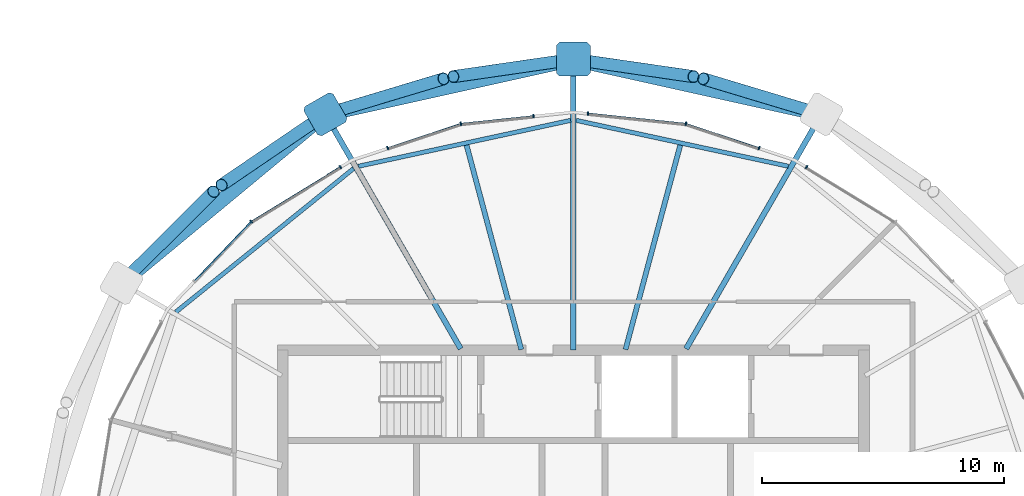
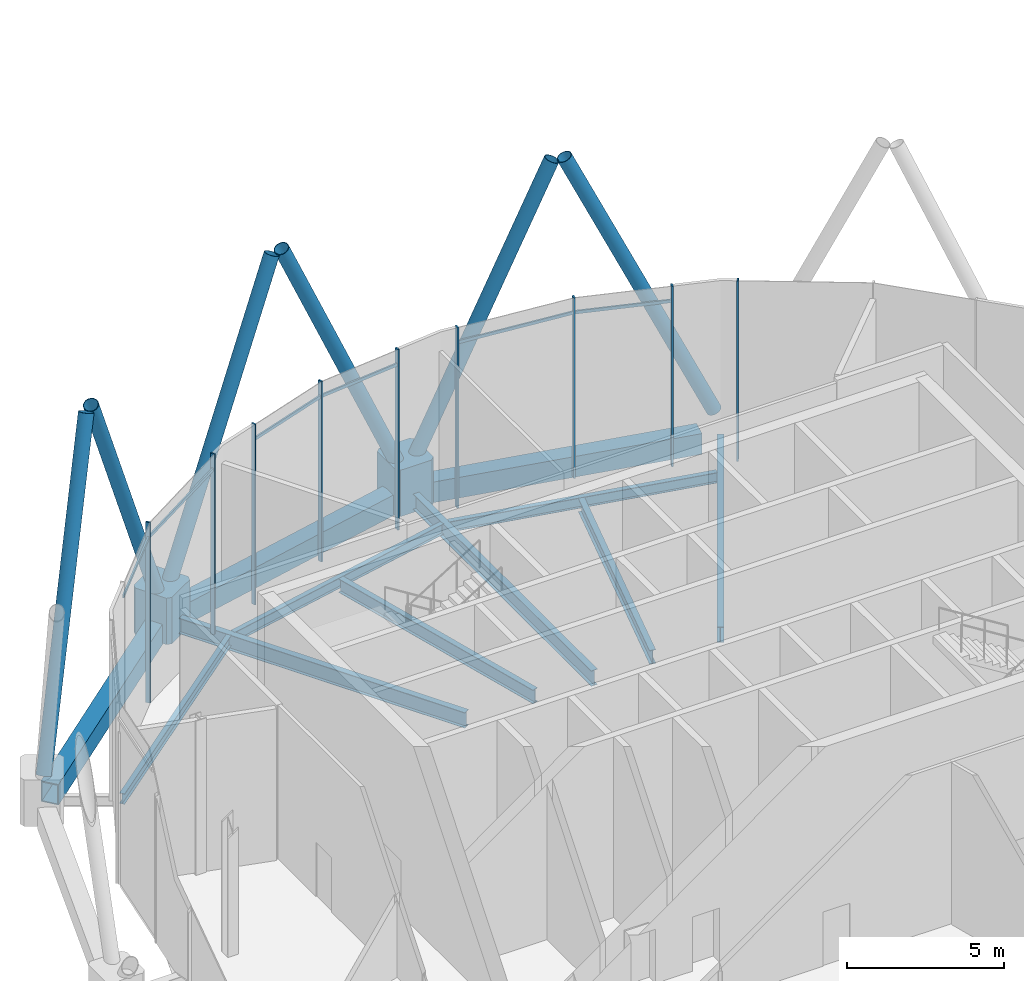
# One storey, part 7 of 28: 23 members, 11 beams, 1 element without a shape of its own.
"""IFC4 building model written with IfcOpenShell, lengths in metres."""

from ifc_helpers import new_model, si_unit, direction, frame, origin, origin_2d, place, context, subcontext, project, spatial, polyline, rectangle, hollow_rectangle, hollow_circle, i_section, outline, extrude, material, material_profile, profile_set, type_object, element, aggregate, save


model = new_model("IFC4")

# Units and contexts
model_context = context("Model", 3, precision=1e-05, world=origin(), true_north=direction((0.0, 1.0)))
body_context = subcontext(model_context, "Body", "Model", "MODEL_VIEW")
ifc_project = project(units=[si_unit("LENGTHUNIT", "METRE"), si_unit("AREAUNIT", "SQUARE_METRE"), si_unit("VOLUMEUNIT", "CUBIC_METRE"), si_unit("PLANEANGLEUNIT", "RADIAN"), si_unit("MASSUNIT", "GRAM", prefix="KILO")], contexts=[model_context])

# Site, building, storey
site_placement = place(None, origin())
site = spatial("IfcSite", under=ifc_project, at=site_placement, CompositionType="ELEMENT")
building_placement = place(site_placement, origin())
building = spatial("IfcBuilding", under=site, at=building_placement, Name="Rimbun Link Towers", CompositionType="ELEMENT")
storey_placement = place(building_placement, frame((0.0, 0.0, 256.10009765625)))
storey = spatial("IfcBuildingStorey", under=building, at=storey_placement, Name="L63", CompositionType="ELEMENT", Elevation=256.10009765625)

# Curtain wall, members
ifc_material_1 = material(Name="Aluminium 6063-T6 and low-iron glass", Category="aluminium")
curtain_wall_type = type_object("IfcCurtainWallType", Name="CW5 full height lobby wall", PredefinedType="NOTDEFINED", material=ifc_material_1)
curtain_wall_placement = place(storey_placement, origin())
curtain_wall = element("IfcCurtainWall", 1, at=curtain_wall_placement, inside=storey, type_object=curtain_wall_type, Name="CW5 L63 T1", PredefinedType="NOTDEFINED")
ifc_material_2 = material(Name="Aluminium 6063-T6", Category="aluminium")
ifc_material_profile_1 = material_profile(ifc_material_2, rectangle(XDim=0.14990234375, YDim=0.06005859375, at=origin_2d()), Name="MULLION 60X150")
ifc_profile_set_1 = profile_set([ifc_material_profile_1], Name="Aluminium 6063-T6")
member_type_1 = type_object("IfcMemberType", Name="CW5 mullion 60X150", PredefinedType="MULLION", material=ifc_profile_set_1)
member_1_placement = place(storey_placement, frame((-22.125732421875, 15.56591796875, 0.0), z_axis=(0.0, 0.0, 1.0), x_axis=(0.523246228321, 0.85218154436, 0.0)))
member_1 = element("IfcMember", 2, at=member_1_placement, type_object=member_type_1, Name="CW5 mullion", PredefinedType="MULLION", context=body_context, shape_type="SweptSolid", body=[
    extrude(rectangle(XDim=0.14990234375, YDim=0.06005859375, at=origin_2d()), origin(), (0.0, 0.0, 1.0), 7.0),
])
member_2_placement = place(storey_placement, frame((-27.10498046875, 17.35009765625, 0.0), z_axis=(0.0, 0.0, 1.0), x_axis=(0.210861265899, 0.977515998101, 0.0)))
member_2 = element("IfcMember", 3, at=member_2_placement, type_object=member_type_1, Name="CW5 mullion", PredefinedType="MULLION", context=body_context, shape_type="SweptSolid", body=[
    extrude(rectangle(XDim=0.14990234375, YDim=0.06005859375, at=origin_2d()), origin(), (0.0, 0.0, 1.0), 7.0),
])
member_3_placement = place(storey_placement, frame((-24.08154296875, 16.3486328125, 0.0), z_axis=(0.0, 0.0, 1.0), x_axis=(0.314558123546, 0.949238213997, 0.0)))
member_3 = element("IfcMember", 4, at=member_3_placement, type_object=member_type_1, Name="CW5 mullion", PredefinedType="MULLION", context=body_context, shape_type="SweptSolid", body=[
    extrude(rectangle(XDim=0.14990234375, YDim=0.06005859375, at=origin_2d()), origin(), (0.0, 0.0, 1.0), 7.0),
])
member_4_placement = place(storey_placement, frame((-31.1455078125, 17.776123046875, 0.0), z_axis=(0.0, 0.0, 1.0), x_axis=(0.104728397345, 0.994500861131, 0.0)))
member_4 = element("IfcMember", 5, at=member_4_placement, type_object=member_type_1, Name="CW5 mullion", PredefinedType="MULLION", context=body_context, shape_type="SweptSolid", body=[
    extrude(rectangle(XDim=0.14990234375, YDim=0.06005859375, at=origin_2d()), origin(), (0.0, 0.0, 1.0), 7.0),
])
member_5_placement = place(storey_placement, frame((-36.39501953125, 17.35009765625, 0.0), z_axis=(0.0, 0.0, 1.0), x_axis=(-0.210861265899, 0.977515998101, 0.0)))
member_5 = element("IfcMember", 6, at=member_5_placement, type_object=member_type_1, Name="CW5 mullion", PredefinedType="MULLION", context=body_context, shape_type="SweptSolid", body=[
    extrude(rectangle(XDim=0.14990234375, YDim=0.06005859375, at=origin_2d()), origin(), (0.0, 0.0, 1.0), 7.0),
])
member_6_placement = place(storey_placement, frame((-33.398681640625, 17.666015625, 0.0), z_axis=(0.0, 0.0, 1.0), x_axis=(-0.104728397345, 0.994500861131, 0.0)))
member_6 = element("IfcMember", 7, at=member_6_placement, type_object=member_type_1, Name="CW5 mullion", PredefinedType="MULLION", context=body_context, shape_type="SweptSolid", body=[
    extrude(rectangle(XDim=0.14990234375, YDim=0.06005859375, at=origin_2d()), origin(), (0.0, 0.0, 1.0), 7.0),
])
member_7_placement = place(storey_placement, frame((-39.41845703125, 16.3486328125, 0.0), z_axis=(0.0, 0.0, 1.0), x_axis=(-0.314558123546, 0.949238213997, 0.0)))
member_7 = element("IfcMember", 8, at=member_7_placement, type_object=member_type_1, Name="CW5 mullion", PredefinedType="MULLION", context=body_context, shape_type="SweptSolid", body=[
    extrude(rectangle(XDim=0.14990234375, YDim=0.06005859375, at=origin_2d()), origin(), (0.0, 0.0, 1.0), 7.0),
])
member_8_placement = place(storey_placement, frame((-45.048095703125, 13.3095703125, 0.0), z_axis=(0.0, 0.0, 1.0), x_axis=(-0.627673907334, 0.778476374755, 0.0)))
member_8 = element("IfcMember", 9, at=member_8_placement, type_object=member_type_1, Name="CW5 mullion", PredefinedType="MULLION", context=body_context, shape_type="SweptSolid", body=[
    extrude(rectangle(XDim=0.14990234375, YDim=0.06005859375, at=origin_2d()), origin(), (0.0, 0.0, 1.0), 7.0),
])
member_9_placement = place(storey_placement, frame((-41.374267578125, 15.56591796875, 0.0), z_axis=(0.0, 0.0, 1.0), x_axis=(-0.523246228321, 0.85218154436, 0.0)))
member_9 = element("IfcMember", 10, at=member_9_placement, type_object=member_type_1, Name="CW5 mullion", PredefinedType="MULLION", context=body_context, shape_type="SweptSolid", body=[
    extrude(rectangle(XDim=0.14990234375, YDim=0.06005859375, at=origin_2d()), origin(), (0.0, 0.0, 1.0), 7.0),
])
ifc_material_3 = material(Name="Aluminium 6063-T6", Category="aluminium")
ifc_material_profile_2 = material_profile(ifc_material_3, rectangle(XDim=0.06005859375, YDim=0.1201171875, at=origin_2d()), Name="TRANSOM 60X120")
ifc_profile_set_2 = profile_set([ifc_material_profile_2], Name="Aluminium 6063-T6")
member_type_2 = type_object("IfcMemberType", Name="CW5 transom 60X120", PredefinedType="USERDEFINED", material=ifc_profile_set_2)
member_10_placement = place(storey_placement, frame((-27.07275390625, 17.326171875, 6.39990234375), z_axis=(0.949237948688, -0.314558924163, 0.0), x_axis=(0.314558924163, 0.949237948688, 0.0)))
member_10 = element("IfcMember", 11, at=member_10_placement, type_object=member_type_2, Name="CW5 transom", ObjectType="TRANSOM", PredefinedType="USERDEFINED", context=body_context, shape_type="SweptSolid", body=[
    extrude(rectangle(XDim=0.06005859375, YDim=0.1201171875, at=origin_2d()), origin(), (0.0, 0.0, 1.0), 3.116943359375),
])
member_11_placement = place(storey_placement, frame((-31.116943359375, 17.760009765625, 6.39990234375), z_axis=(0.994498753525, -0.104748409239, 0.0), x_axis=(0.104748409239, 0.994498753525, 0.0)))
member_11 = element("IfcMember", 12, at=member_11_placement, type_object=member_type_2, Name="CW5 transom", ObjectType="TRANSOM", PredefinedType="USERDEFINED", context=body_context, shape_type="SweptSolid", body=[
    extrude(rectangle(XDim=0.06005859375, YDim=0.1201171875, at=origin_2d()), origin(), (0.0, 0.0, 1.0), 3.994873046875),
])
member_12_placement = place(storey_placement, frame((-36.35595703125, 17.341552734375, 6.39990234375), z_axis=(0.994503181375, 0.10470636196, 0.0), x_axis=(-0.10470636196, 0.994503181375, 0.0)))
member_12 = element("IfcMember", 13, at=member_12_placement, type_object=member_type_2, Name="CW5 transom", ObjectType="TRANSOM", PredefinedType="USERDEFINED", context=body_context, shape_type="SweptSolid", body=[
    extrude(rectangle(XDim=0.06005859375, YDim=0.1201171875, at=origin_2d()), origin(), (0.0, 0.0, 1.0), 2.94482421875),
])
member_13_placement = place(storey_placement, frame((-39.385986328125, 16.345703125, 6.39990234375), z_axis=(0.949237948688, 0.314558924163, 0.0), x_axis=(-0.314558924163, 0.949237948688, 0.0)))
member_13 = element("IfcMember", 14, at=member_13_placement, type_object=member_type_2, Name="CW5 transom", ObjectType="TRANSOM", PredefinedType="USERDEFINED", context=body_context, shape_type="SweptSolid", body=[
    extrude(rectangle(XDim=0.06005859375, YDim=0.1201171875, at=origin_2d()), origin(), (0.0, 0.0, 1.0), 3.116943359375),
])
member_14_placement = place(storey_placement, frame((-45.008056640625, 13.319580078125, 6.39990234375), z_axis=(0.852171675946, 0.523262300108, 0.0), x_axis=(-0.523262300108, 0.852171675946, 0.0)))
member_14 = element("IfcMember", 15, at=member_14_placement, type_object=member_type_2, Name="CW5 transom", ObjectType="TRANSOM", PredefinedType="USERDEFINED", context=body_context, shape_type="SweptSolid", body=[
    extrude(rectangle(XDim=0.06005859375, YDim=0.1201171875, at=origin_2d()), origin(), (0.0, 0.0, 1.0), 4.2421875),
])
member_15_placement = place(storey_placement, frame((-47.3740234375, 10.865478515625, 6.39990234375), z_axis=(0.692011907201, 0.721886085398, 0.0), x_axis=(-0.721886085398, 0.692011907201, 0.0)))
member_15 = element("IfcMember", 16, at=member_15_placement, type_object=member_type_2, Name="CW5 transom", ObjectType="TRANSOM", PredefinedType="USERDEFINED", context=body_context, shape_type="SweptSolid", body=[
    extrude(rectangle(XDim=0.06005859375, YDim=0.1201171875, at=origin_2d()), origin(), (0.0, 0.0, 1.0), 3.334228515625),
])
aggregate(curtain_wall, [member_1, member_2, member_3, member_4, member_5, member_6, member_7, member_8, member_9, member_10, member_11, member_12, member_13, member_14, member_15])

# Members
ifc_material_4 = material(Name="Steel S355J2H", Category="steel")
ifc_material_profile_3 = material_profile(ifc_material_4, hollow_circle(Radius=0.25390625, WallThickness=0.02001953125, at=origin_2d()), Name="Diagrid diagonal CHS 508x20")
ifc_profile_set_3 = profile_set([ifc_material_profile_3], Name="Steel S355J2H")
member_type_3 = type_object("IfcMemberType", Name="Diagrid diagonal CHS 508x20", PredefinedType="BRACE", material=ifc_profile_set_3)
member_16_placement = place(storey_placement, frame((-21.709228515625, 17.798583984375, 0.453857421875), z_axis=(-0.401051097621, 0.120664870194, 0.908073788961), x_axis=(-0.288113485997, -0.957596271498, 0.0)))
element("IfcMember", 17, at=member_16_placement, inside=storey, type_object=member_type_3, Name="Diagrid diagonal T1 L63-L65 04b", PredefinedType="BRACE", context=body_context, shape_type="SweptSolid", body=[
    extrude(hollow_circle(Radius=0.25390625, WallThickness=0.02001953125, at=origin_2d()), origin(), (0.0, 0.0, 1.0), 11.664306640625),
])
for number, where, z_axis, x_axis, name in (
    (18, (-31.545654296875, 19.984619140625, 0.455322265625), (0.408818164233, -0.059230447399, 0.910691749548), (0.143385061898, 0.989666976323, 0.0), "Diagrid diagonal T1 L63-L65 06a"),
    (19, (-31.954345703125, 19.984619140625, 0.455322265625), (-0.408818164233, -0.059230447399, 0.910691749548), (0.143385061898, -0.989666976323, 0.0), "Diagrid diagonal T1 L63-L65 06b"),
):
    element("IfcMember", number, at=place(storey_placement, frame(where, z_axis=z_axis, x_axis=x_axis)), inside=storey, type_object=member_type_3, Name=name, PredefinedType="BRACE", context=body_context, shape_type="SweptSolid", body=[
        extrude(hollow_circle(Radius=0.25390625, WallThickness=0.02001953125, at=origin_2d()), origin(), (0.0, 0.0, 1.0), 11.6279296875),
    ])
member_17_placement = place(storey_placement, frame((-41.790771484375, 17.798583984375, 0.453857421875), z_axis=(0.401051097621, 0.120664870194, 0.908073788961), x_axis=(-0.288113485997, 0.957596271498, 0.0)))
element("IfcMember", 20, at=member_17_placement, inside=storey, type_object=member_type_3, Name="Diagrid diagonal T1 L63-L65 08a", PredefinedType="BRACE", context=body_context, shape_type="SweptSolid", body=[
    extrude(hollow_circle(Radius=0.25390625, WallThickness=0.02001953125, at=origin_2d()), origin(), (0.0, 0.0, 1.0), 11.664306640625),
])
member_18_placement = place(storey_placement, frame((-42.166748046875, 17.618896484375, 0.45263671875), z_axis=(-0.351103105686, -0.239096416771, 0.905295262699), x_axis=(0.562867368721, -0.826547231094, 0.0)))
element("IfcMember", 21, at=member_18_placement, inside=storey, type_object=member_type_3, Name="Diagrid diagonal T1 L63-L65 08b", PredefinedType="BRACE", context=body_context, shape_type="SweptSolid", body=[
    extrude(hollow_circle(Radius=0.25390625, WallThickness=0.02001953125, at=origin_2d()), origin(), (0.0, 0.0, 1.0), 11.702880859375),
])
member_19_placement = place(storey_placement, frame((-50.251220703125, 10.9248046875, 0.44970703125), z_axis=(0.309453031565, 0.307504961315, 0.899821937953), x_axis=(-0.704870548634, 0.70933596389, 0.0)))
element("IfcMember", 22, at=member_19_placement, inside=storey, type_object=member_type_3, Name="Diagrid diagonal T1 L63-L65 10a", PredefinedType="BRACE", context=body_context, shape_type="SweptSolid", body=[
    extrude(hollow_circle(Radius=0.25390625, WallThickness=0.02001953125, at=origin_2d()), origin(), (0.0, 0.0, 1.0), 11.780517578125),
])
ifc_material_5 = material(Name="Cast steel G20Mn5+QT, Rp0.2 300 MPa", Category="steel")
ifc_material_profile_4 = material_profile(ifc_material_5, outline(polyline([(0.699951171875, -0.570068359375), (0.699951171875, 0.570068359375), (0.570068359375, 0.699951171875), (-0.570068359375, 0.699951171875), (-0.699951171875, 0.570068359375), (-0.699951171875, -0.570068359375), (-0.570068359375, -0.699951171875), (0.570068359375, -0.699951171875), (0.699951171875, -0.570068359375)])), Name="NODE 1400x1400")
ifc_profile_set_4 = profile_set([ifc_material_profile_4], Name="Cast steel G20Mn5+QT, Rp0.2 300 MPa")
member_type_4 = type_object("IfcMemberType", Name="Diagrid node cast 1400", PredefinedType="USERDEFINED", material=ifc_profile_set_4)
for number, where, z_axis, x_axis, name in (
    (23, (-31.75, 20.014404296875, -0.900146484375), (0.0, 0.0, 1.0), (0.0, 1.0, 0.0), "Diagrid node L63 06"),
    (24, (-41.9912109375, 17.73828125, -0.900146484375), (0.0, 0.0, 1.0), (-0.5, 0.866025403784, 0.0), "Diagrid node L63 08"),
):
    element("IfcMember", number, at=place(storey_placement, frame(where, z_axis=z_axis, x_axis=x_axis)), inside=storey, type_object=member_type_4, Name=name, ObjectType="Diagrid node", PredefinedType="USERDEFINED", context=body_context, shape_type="SweptSolid", body=[
        extrude(outline(polyline([(0.699951171875, -0.570068359375), (0.699951171875, 0.570068359375), (0.570068359375, 0.699951171875), (-0.570068359375, 0.699951171875), (-0.699951171875, 0.570068359375), (-0.699951171875, -0.570068359375), (-0.570068359375, -0.699951171875), (0.570068359375, -0.699951171875), (0.699951171875, -0.570068359375)])), origin(), (0.0, 0.0, 1.0), 1.800048828125),
    ])

# Beams
ifc_material_6 = material(Name="Steel S355J2", Category="steel")
ifc_material_profile_5 = material_profile(ifc_material_6, hollow_rectangle(XDim=0.60009765625, YDim=0.800048828125, WallThickness=0.0400390625, at=origin_2d()), Name="Exoskeleton ring girder BOX 600x800x40")
ifc_profile_set_5 = profile_set([ifc_material_profile_5], Name="Steel S355J2")
beam_type_1 = type_object("IfcBeamType", Name="Exoskeleton ring girder BOX 600x800x40", PredefinedType="BEAM", material=ifc_profile_set_5)
for number, where, z_axis, x_axis, name in (
    (25, (-22.19189453125, 17.890380859375, -0.56005859375), (-0.976192746712, 0.216904866859, 0.0), (-0.216904866859, -0.976192746712, 0.0), "Exoskeleton ring girder L63 02"),
    (26, (-32.433349609375, 19.8623046875, -0.56005859375), (-0.976192746712, -0.216904866859, 0.0), (0.216904866859, -0.976192746712, 0.0), "Exoskeleton ring girder L63 03"),
):
    element("IfcBeam", number, at=place(storey_placement, frame(where, z_axis=z_axis, x_axis=x_axis)), inside=storey, type_object=beam_type_1, Name=name, PredefinedType="BEAM", context=body_context, shape_type="SweptSolid", body=[
        extrude(hollow_rectangle(XDim=0.60009765625, YDim=0.800048828125, WallThickness=0.0400390625, at=origin_2d()), origin(), (0.0, 0.0, 1.0), 9.09130859375),
    ])
beam_1_placement = place(storey_placement, frame((-42.530517578125, 17.2919921875, -0.56005859375), z_axis=(-0.770219769498, -0.637778571821, 0.0), x_axis=(0.637778571821, -0.770219769498, 0.0)))
element("IfcBeam", 27, at=beam_1_placement, inside=storey, type_object=beam_type_1, Name="Exoskeleton ring girder L63 04", PredefinedType="BEAM", context=body_context, shape_type="SweptSolid", body=[
    extrude(hollow_rectangle(XDim=0.60009765625, YDim=0.800048828125, WallThickness=0.0400390625, at=origin_2d()), origin(), (0.0, 0.0, 1.0), 9.52490234375),
])
ifc_material_7 = material(Name="Steel S355J2", Category="steel")
ifc_material_profile_6 = material_profile(ifc_material_7, i_section(OverallWidth=0.177978515625, OverallDepth=0.406494140625, WebThickness=0.0078125, FlangeThickness=0.0126953125, at=origin_2d()), Name="UB 406x178x60")
ifc_profile_set_6 = profile_set([ifc_material_profile_6], Name="Steel S355J2")
beam_type_2 = type_object("IfcBeamType", Name="UB 406x178x60", PredefinedType="BEAM", material=ifc_profile_set_6)
for number, where, z_axis, x_axis, name in (
    (28, (-22.879150390625, 15.59423828125, -0.38330078125), (-0.977400622906, 0.211395417033, 0.0), (-0.211395417033, -0.977400622906, 0.0), "Edge beam T1 L63 04-06"),
    (29, (-31.86474609375, 17.488037109375, -0.38330078125), (-0.977400622906, -0.211395417033, 0.0), (0.211395417033, -0.977400622906, 0.0), "Edge beam T1 L63 06-08"),
):
    element("IfcBeam", number, at=place(storey_placement, frame(where, z_axis=z_axis, x_axis=x_axis)), inside=storey, type_object=beam_type_2, Name=name, PredefinedType="BEAM", context=body_context, shape_type="SweptSolid", body=[
        extrude(i_section(OverallWidth=0.177978515625, OverallDepth=0.406494140625, WebThickness=0.0078125, FlangeThickness=0.0126953125, at=origin_2d()), origin(), (0.0, 0.0, 1.0), 8.95849609375),
    ])
beam_2_placement = place(storey_placement, frame((-40.8291015625, 15.495849609375, -0.38330078125), z_axis=(-0.778080013236, -0.628165179712, 0.0), x_axis=(0.628165179712, -0.778080013236, 0.0)))
element("IfcBeam", 30, at=beam_2_placement, inside=storey, type_object=beam_type_2, Name="Edge beam T1 L63 08-10", PredefinedType="BEAM", context=body_context, shape_type="SweptSolid", body=[
    extrude(i_section(OverallWidth=0.177978515625, OverallDepth=0.406494140625, WebThickness=0.0078125, FlangeThickness=0.0126953125, at=origin_2d()), origin(), (0.0, 0.0, 1.0), 9.421142578125),
])
ifc_material_8 = material(Name="Steel S355J2", Category="steel")
ifc_material_profile_7 = material_profile(ifc_material_8, i_section(OverallWidth=0.209228515625, OverallDepth=0.533203125, WebThickness=0.010009765625, FlangeThickness=0.015625, at=origin_2d()), Name="UB 533x210x92")
ifc_profile_set_7 = profile_set([ifc_material_profile_7], Name="Steel S355J2")
beam_type_3 = type_object("IfcBeamType", Name="UB 533x210x92", PredefinedType="BEAM", material=ifc_profile_set_7)
for number, where, z_axis, x_axis, name in (
    (31, (-29.598876953125, 8.028076171875, -0.446533203125), (0.258808722703, 0.965928592108, 0.0), (-0.965928592108, 0.258808722703, 0.0), "Radial beam T1 L63 05"),
    (32, (-33.901123046875, 8.028076171875, -0.446533203125), (-0.258808722703, 0.965928592108, 0.0), (-0.965928592108, -0.258808722703, 0.0), "Radial beam T1 L63 07"),
):
    element("IfcBeam", number, at=place(storey_placement, frame(where, z_axis=z_axis, x_axis=x_axis)), inside=storey, type_object=beam_type_3, Name=name, PredefinedType="BEAM", context=body_context, shape_type="SweptSolid", body=[
        extrude(i_section(OverallWidth=0.209228515625, OverallDepth=0.533203125, WebThickness=0.010009765625, FlangeThickness=0.015625, at=origin_2d()), origin(), (0.0, 0.0, 1.0), 8.736083984375),
    ])
ifc_material_9 = material(Name="Steel S355J2", Category="steel")
ifc_material_profile_8 = material_profile(ifc_material_9, i_section(OverallWidth=0.2275390625, OverallDepth=0.6025390625, WebThickness=0.010498046875, FlangeThickness=0.014892578125, at=origin_2d()), Name="UB 610x229x101")
ifc_profile_set_8 = profile_set([ifc_material_profile_8], Name="Steel S355J2")
beam_type_4 = type_object("IfcBeamType", Name="UB 610x229x101", PredefinedType="BEAM", material=ifc_profile_set_8)
beam_3_placement = place(storey_placement, frame((-27.097900390625, 8.057861328125, -0.4814453125), z_axis=(0.500002169237, 0.866024151371, 0.0), x_axis=(-0.866024151371, 0.500002169237, 0.0)))
element("IfcBeam", 33, at=beam_3_placement, inside=storey, type_object=beam_type_4, Name="Radial beam T1 L63 04", PredefinedType="BEAM", context=body_context, shape_type="SweptSolid", body=[
    extrude(i_section(OverallWidth=0.2275390625, OverallDepth=0.6025390625, WebThickness=0.010498046875, FlangeThickness=0.014892578125, at=origin_2d()), origin(), (0.0, 0.0, 1.0), 10.67822265625),
])
beam_4_placement = place(storey_placement, frame((-31.75, 8.0009765625, -0.4814453125), z_axis=(0.0, 1.0, 0.0), x_axis=(-1.0, 0.0, 0.0)))
element("IfcBeam", 34, at=beam_4_placement, inside=storey, type_object=beam_type_4, Name="Radial beam T1 L63 06", PredefinedType="BEAM", context=body_context, shape_type="SweptSolid", body=[
    extrude(i_section(OverallWidth=0.2275390625, OverallDepth=0.6025390625, WebThickness=0.010498046875, FlangeThickness=0.014892578125, at=origin_2d()), origin(), (0.0, 0.0, 1.0), 11.513427734375),
])
beam_5_placement = place(storey_placement, frame((-36.402099609375, 8.057861328125, -0.4814453125), z_axis=(-0.500002169237, 0.866024151371, 0.0), x_axis=(-0.866024151371, -0.500002169237, 0.0)))
element("IfcBeam", 35, at=beam_5_placement, inside=storey, type_object=beam_type_4, Name="Radial beam T1 L63 08", PredefinedType="BEAM", context=body_context, shape_type="SweptSolid", body=[
    extrude(i_section(OverallWidth=0.2275390625, OverallDepth=0.6025390625, WebThickness=0.010498046875, FlangeThickness=0.014892578125, at=origin_2d()), origin(), (0.0, 0.0, 1.0), 10.67822265625),
])

save(model, "model.ifc")
